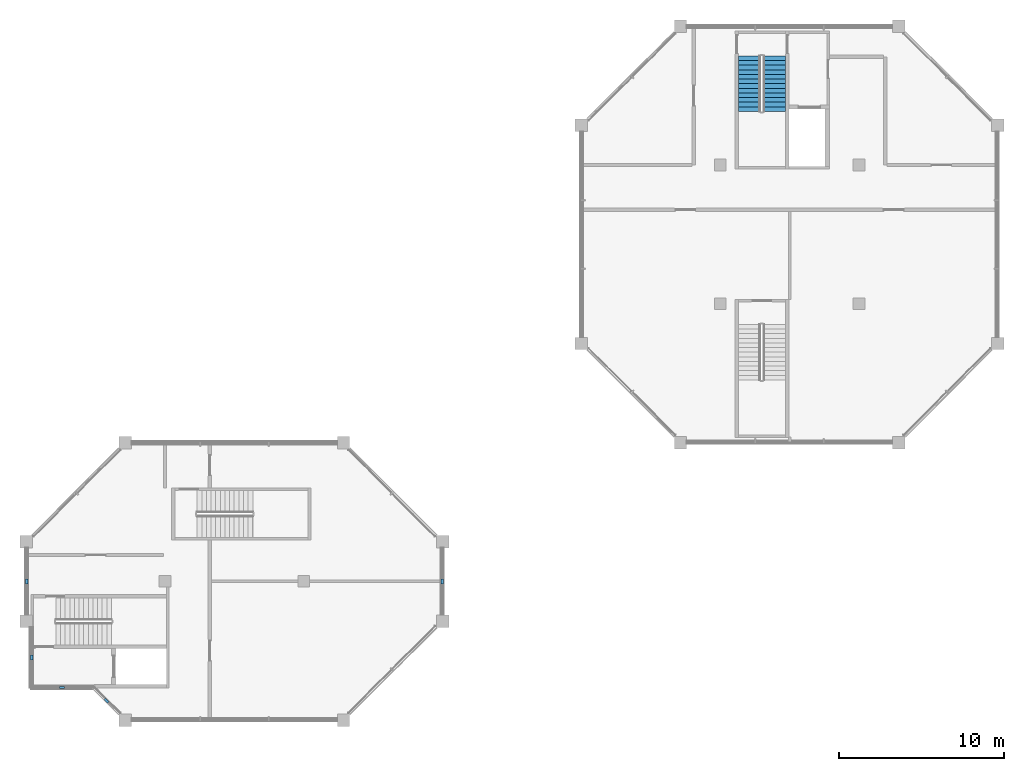
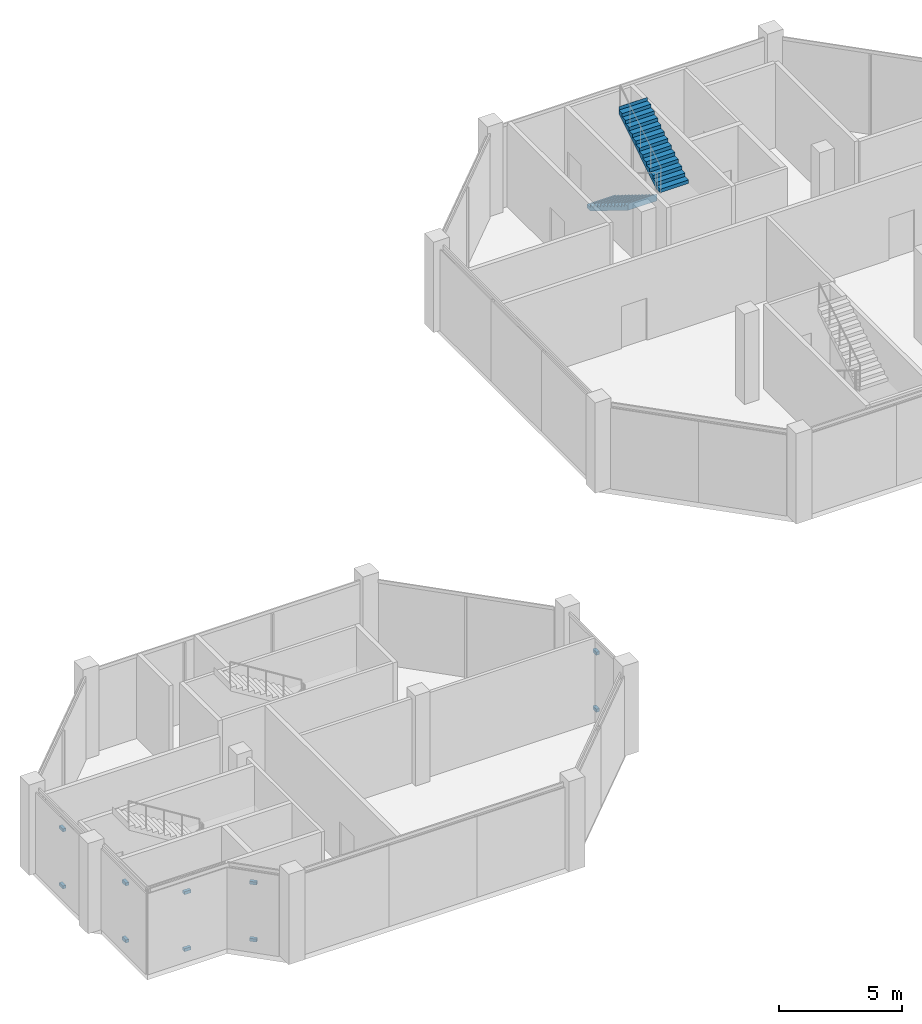
# One storey, part 7 of 9: 10 discrete accessories, 2 stair flights, 1 element without a shape of its own.
"""IFC4 building model written with IfcOpenShell, lengths in metres."""

from ifc_helpers import new_model, si_unit, direction, frame, origin, origin_2d, place, context, subcontext, project, spatial, polyline, rectangle, outline, extrude, material, type_object, element, aggregate, save


model = new_model("IFC4")

# Units and contexts
model_context = context("Model", 3, precision=1e-05, world=origin(), true_north=direction((0.0, 1.0)))
body_context = subcontext(model_context, "Body", "Model", "MODEL_VIEW")
ifc_project = project(units=[si_unit("LENGTHUNIT", "METRE"), si_unit("AREAUNIT", "SQUARE_METRE"), si_unit("VOLUMEUNIT", "CUBIC_METRE"), si_unit("PLANEANGLEUNIT", "RADIAN"), si_unit("MASSUNIT", "GRAM", prefix="KILO")], contexts=[model_context])

# Site, building, storey
site_placement = place(None, origin())
site = spatial("IfcSite", under=ifc_project, at=site_placement, CompositionType="ELEMENT")
building_placement = place(site_placement, origin())
building = spatial("IfcBuilding", under=site, at=building_placement, Name="Kawkab Arch Medical Tower", CompositionType="ELEMENT")
storey_placement = place(building_placement, frame((0.0, 0.0, 341.199951171875)))
storey = spatial("IfcBuildingStorey", under=building, at=storey_placement, Name="L79", CompositionType="ELEMENT", Elevation=341.199951171875)

# Stair, stair flights
ifc_material_1 = material(Name="Concrete C40/50", Category="concrete")
stair_type = type_object("IfcStairType", Name="Exit stair 1350", PredefinedType="HALF_TURN_STAIR", material=ifc_material_1)
stair_placement = place(storey_placement, origin())
stair = element("IfcStair", 1, at=stair_placement, inside=storey, type_object=stair_type, Name="L79 Exit stair ST5", PredefinedType="HALF_TURN_STAIR")
ifc_material_2 = material(Name="Concrete C40/50", Category="concrete")
stair_flight_type = type_object("IfcStairFlightType", Name="Exit stair flight 1350", PredefinedType="STRAIGHT", material=ifc_material_2)
stair_flight_1_placement = place(storey_placement, frame((43.77490234375, -1.800048828125, 0.0), z_axis=(0.0, 0.0, 1.0), x_axis=(0.0, -1.0, 0.0)))
stair_flight_1 = element("IfcStairFlight", 2, at=stair_flight_1_placement, type_object=stair_flight_type, Name="ST5 flight 1", NumberOfRisers=13, NumberOfTreads=12, PredefinedType="STRAIGHT", RiserHeight=0.173076923, TreadLength=0.28, context=body_context, shape_type="SweptSolid", body=[
    extrude(outline(polyline([(-0.0029296875, 0.0), (-0.0029296875, 0.173095703125), (0.0, 0.173095703125), (0.280029296875, 0.173095703125), (0.280029296875, 0.34619140625), (0.56005859375, 0.34619140625), (0.56005859375, 0.519287109375), (0.840087890625, 0.519287109375), (0.840087890625, 0.6923828125), (1.1201171875, 0.6923828125), (1.1201171875, 0.865478515625), (1.39990234375, 0.865478515625), (1.39990234375, 1.03857421875), (1.679931640625, 1.03857421875), (1.679931640625, 1.21142578125), (1.9599609375, 1.21142578125), (1.9599609375, 1.384521484375), (2.239990234375, 1.384521484375), (2.239990234375, 1.5576171875), (2.52001953125, 1.5576171875), (2.52001953125, 1.730712890625), (2.800048828125, 1.730712890625), (2.800048828125, 1.90380859375), (3.080078125, 1.90380859375), (3.080078125, 2.076904296875), (3.360107421875, 2.076904296875), (3.360107421875, 2.25), (3.363037109375, 2.25), (3.363037109375, 1.900634765625), (3.360107421875, 1.900634765625), (0.28515625, 0.0), (-0.0029296875, 0.0)])), frame((0.0, 0.675048828125, 0.0), z_axis=(0.0, -1.0, 0.0), x_axis=(1.0, 0.0, 0.0)), (0.0, 0.0, 1.0), 1.35009765625),
])
stair_flight_2_placement = place(storey_placement, frame((45.27490234375, -5.159912109375, 2.25), z_axis=(0.0, 0.0, 1.0), x_axis=(0.0, 1.0, 0.0)))
stair_flight_2 = element("IfcStairFlight", 3, at=stair_flight_2_placement, type_object=stair_flight_type, Name="ST5 flight 2", NumberOfRisers=13, NumberOfTreads=12, PredefinedType="STRAIGHT", RiserHeight=0.173076923, TreadLength=0.28, context=body_context, shape_type="SweptSolid", body=[
    extrude(outline(polyline([(-0.0029296875, 0.0), (-0.0029296875, 0.173095703125), (0.0, 0.173095703125), (0.280029296875, 0.173095703125), (0.280029296875, 0.34619140625), (0.56005859375, 0.34619140625), (0.56005859375, 0.519287109375), (0.840087890625, 0.519287109375), (0.840087890625, 0.6923828125), (1.1201171875, 0.6923828125), (1.1201171875, 0.865478515625), (1.39990234375, 0.865478515625), (1.39990234375, 1.03857421875), (1.679931640625, 1.03857421875), (1.679931640625, 1.21142578125), (1.9599609375, 1.21142578125), (1.9599609375, 1.384521484375), (2.239990234375, 1.384521484375), (2.239990234375, 1.5576171875), (2.52001953125, 1.5576171875), (2.52001953125, 1.730712890625), (2.800048828125, 1.730712890625), (2.800048828125, 1.90380859375), (3.080078125, 1.90380859375), (3.080078125, 2.076904296875), (3.360107421875, 2.076904296875), (3.360107421875, 2.25), (3.363037109375, 2.25), (3.363037109375, 1.900634765625), (3.360107421875, 1.900634765625), (0.28515625, 0.0), (-0.0029296875, 0.0)])), frame((0.0, 0.675048828125, 0.0), z_axis=(0.0, -1.0, 0.0), x_axis=(1.0, 0.0, 0.0)), (0.0, 0.0, 1.0), 1.35009765625),
])
aggregate(stair, [stair_flight_1, stair_flight_2])

# Discrete accessories
ifc_material_3 = material(Name="Galvanised steel screen bracket", Category="steel")
discrete_accessory_type = type_object("IfcDiscreteAccessoryType", Name="Screen bracket 300 x 150", PredefinedType="BRACKET", material=ifc_material_3)
for number, where, z_axis, x_axis, name in (
    (4, (0.027587890625, -33.60009765625, 0.525146484375), (0.0, 0.0, 1.0), (0.0, -1.0, 0.0), "Screen bracket L79 R12.1.1.1"),
    (5, (0.027587890625, -33.60009765625, 3.364990234375), (0.0, 0.0, 1.0), (0.0, -1.0, 0.0), "Screen bracket L79 R12.1.1.2"),
    (6, (0.327392578125, -38.21240234375, 0.525146484375), (0.0, 0.0, 1.0), (0.0, -1.0, 0.0), "Screen bracket L79 R14.1.1.1"),
    (7, (0.327392578125, -38.21240234375, 3.364990234375), (0.0, 0.0, 1.0), (0.0, -1.0, 0.0), "Screen bracket L79 R14.1.1.2"),
    (8, (2.175048828125, -40.0224609375, 0.525146484375), (0.0, 0.0, 1.0), (1.0, 0.0, 0.0), "Screen bracket L79 R15.1.1.1"),
    (9, (2.175048828125, -40.0224609375, 3.364990234375), (0.0, 0.0, 1.0), (1.0, 0.0, 0.0), "Screen bracket L79 R15.1.1.2"),
    (10, (4.85693359375, -40.818115234375, 0.525146484375), (0.0, 0.0, 1.0), (0.707106781187, -0.707106781187, 0.0), "Screen bracket L79 R16.1.1.1"),
    (11, (4.85693359375, -40.818115234375, 3.364990234375), (0.0, 0.0, 1.0), (0.707106781187, -0.707106781187, 0.0), "Screen bracket L79 R16.1.1.2"),
    (12, (25.172607421875, -33.60009765625, 0.525146484375), (0.0, 0.0, 1.0), (0.0, 1.0, 0.0), "Screen bracket L79 R19.1.1.1"),
    (13, (25.172607421875, -33.60009765625, 3.364990234375), (0.0, 0.0, 1.0), (0.0, 1.0, 0.0), "Screen bracket L79 R19.1.1.2"),
):
    element("IfcDiscreteAccessory", number, at=place(storey_placement, frame(where, z_axis=z_axis, x_axis=x_axis)), inside=storey, type_object=discrete_accessory_type, Name=name, PredefinedType="BRACKET", context=body_context, shape_type="SweptSolid", body=[
        extrude(rectangle(XDim=0.300048828125, YDim=0.14501953125, at=origin_2d()), origin(), (0.0, 0.0, 1.0), 0.14990234375),
    ])

save(model, "model.ifc")
